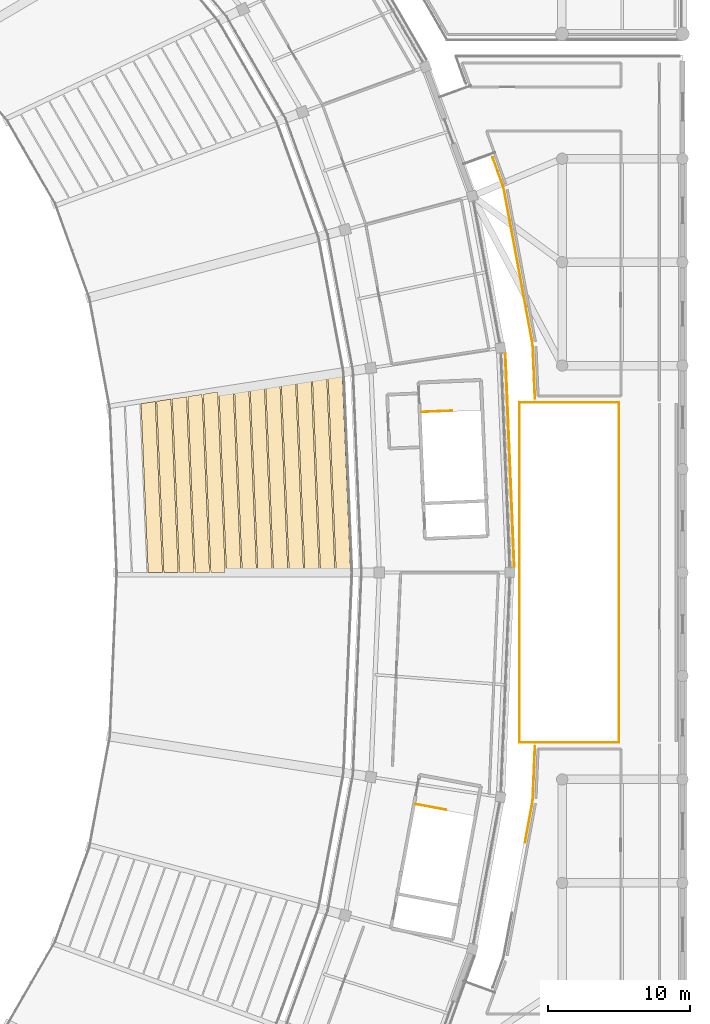
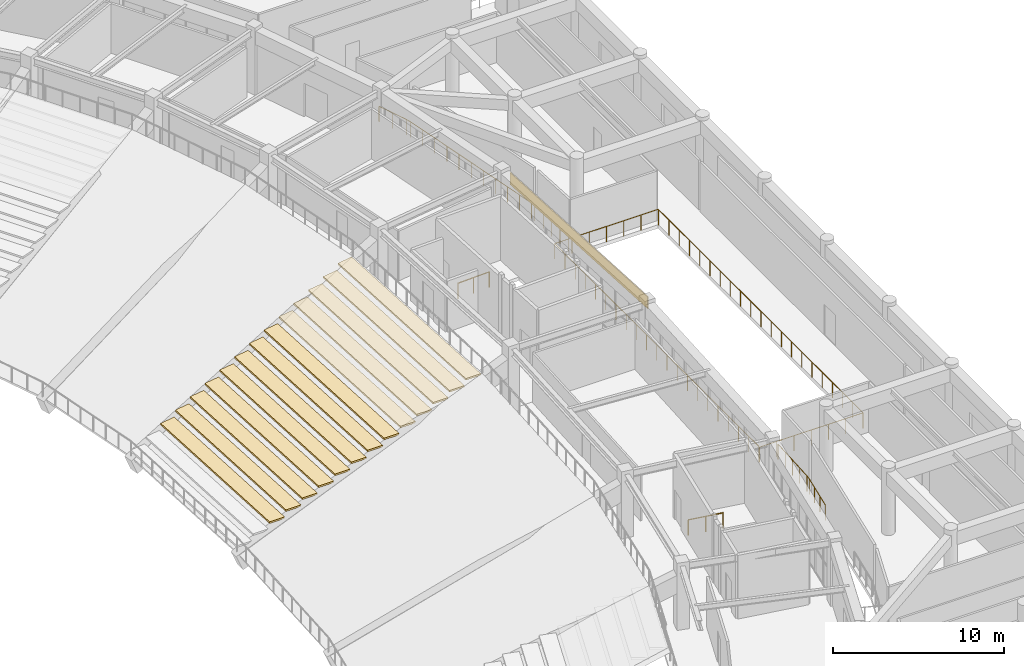
# One storey, part 128 of 137: 14 coverings, 6 railings.
"""IFC4 building model written with IfcOpenShell, lengths in metres."""

from ifc_helpers import new_model, si_unit, direction, frame, origin, origin_2d, place, context, subcontext, project, spatial, polyline, rectangle, circle, outline, extrude, material, layer, layer_set, type_object, element, save


model = new_model("IFC4")

# Units and contexts
model_context = context("Model", 3, precision=1e-05, world=origin(), true_north=direction((0.0, 1.0)))
body_context = subcontext(model_context, "Body", "Model", "MODEL_VIEW")
ifc_project = project(units=[si_unit("LENGTHUNIT", "METRE"), si_unit("AREAUNIT", "SQUARE_METRE"), si_unit("VOLUMEUNIT", "CUBIC_METRE"), si_unit("PLANEANGLEUNIT", "RADIAN"), si_unit("MASSUNIT", "GRAM", prefix="KILO")], contexts=[model_context])

# Site, building, storey
site_placement = place(None, origin())
site = spatial("IfcSite", under=ifc_project, at=site_placement, CompositionType="ELEMENT")
building_placement = place(site_placement, origin())
building = spatial("IfcBuilding", under=site, at=building_placement, Name="Mphavela Belvedere Stadium", CompositionType="ELEMENT")
storey_placement = place(building_placement, frame((0.0, 0.0, 19.199951171875)))
storey = spatial("IfcBuildingStorey", under=building, at=storey_placement, Name="L04", CompositionType="ELEMENT", Elevation=19.199951171875)

# Coverings
ifc_material_1 = material(Name="Carved classical limestone entablature frieze cladding", Category="masonry")
ifc_layer_1 = layer(ifc_material_1, 0.06005859375)
ifc_layer_set_1 = layer_set([ifc_layer_1], Name="Carved classical limestone entablature frieze cladding")
covering_type_1 = type_object("IfcCoveringType", Name="COV-FRIEZE-CLAD", PredefinedType="CLADDING", material=ifc_layer_set_1)
covering_1_placement = place(storey_placement, frame((217.807373046875, 94.935791015625, 3.594970703125), z_axis=(0.0, 0.0, 1.0), x_axis=(-0.041875653729, 0.999122830099, 0.0)))
element("IfcCovering", 1, at=covering_1_placement, inside=storey, type_object=covering_type_1, Name="Classical entablature frieze cladding L04-01", PredefinedType="CLADDING", context=body_context, shape_type="SweptSolid", body=[
    extrude(rectangle(XDim=15.06298828125, YDim=0.06005859375, at=origin_2d()), origin(), (0.0, 0.0, 1.0), 0.85009765625),
])
ifc_material_2 = material(Name="Precast seating row terrazzo finish", Category="concrete")
ifc_layer_2 = layer(ifc_material_2, 0.1201171875)
ifc_layer_set_2 = layer_set([ifc_layer_2], Name="Precast seating row terrazzo finish")
covering_type_2 = type_object("IfcCoveringType", Name="COV-SEAT-ROW-U", PredefinedType="FLOORING", material=ifc_layer_set_2)
covering_2_placement = place(storey_placement, frame((0.0, 0.0, -2.469970703125)))
element("IfcCovering", 2, at=covering_2_placement, inside=storey, type_object=covering_type_2, Name="Upper stand seating row bench B01-R03", PredefinedType="FLOORING", context=body_context, shape_type="SweptSolid", body=[
    extrude(outline(polyline([(192.28955078125, 87.0), (191.7900390625, 98.91064453125), (192.80078125, 99.0673828125), (193.306884765625, 87.0), (192.28955078125, 87.0)])), origin(), (0.0, 0.0, 1.0), 0.1201171875),
])
covering_3_placement = place(storey_placement, frame((0.0, 0.0, -2.003173828125)))
element("IfcCovering", 3, at=covering_3_placement, inside=storey, type_object=covering_type_2, Name="Upper stand seating row bench B01-R04", PredefinedType="FLOORING", context=body_context, shape_type="SweptSolid", body=[
    extrude(outline(polyline([(193.3955078125, 87.0), (192.888671875, 99.0810546875), (193.8994140625, 99.23779296875), (194.41259765625, 87.0), (193.3955078125, 87.0)])), origin(), (0.0, 0.0, 1.0), 0.119873046875),
])
covering_4_placement = place(storey_placement, frame((0.0, 0.0, -1.53662109375)))
element("IfcCovering", 4, at=covering_4_placement, inside=storey, type_object=covering_type_2, Name="Upper stand seating row bench B01-R05", PredefinedType="FLOORING", context=body_context, shape_type="SweptSolid", body=[
    extrude(outline(polyline([(194.501220703125, 87.0), (193.9873046875, 99.25146484375), (194.998046875, 99.408203125), (195.5185546875, 87.0), (194.501220703125, 87.0)])), origin(), (0.0, 0.0, 1.0), 0.119873046875),
])
covering_5_placement = place(storey_placement, frame((0.0, 0.0, -1.070068359375)))
element("IfcCovering", 5, at=covering_5_placement, inside=storey, type_object=covering_type_2, Name="Upper stand seating row bench B01-R06", PredefinedType="FLOORING", context=body_context, shape_type="SweptSolid", body=[
    extrude(outline(polyline([(195.60693359375, 87.0), (195.0859375, 99.421875), (196.0966796875, 99.57861328125), (196.624267578125, 87.0), (195.60693359375, 87.0)])), origin(), (0.0, 0.0, 1.0), 0.1201171875),
])
covering_6_placement = place(storey_placement, frame((0.0, 0.0, -0.603271484375)))
element("IfcCovering", 6, at=covering_6_placement, inside=storey, type_object=covering_type_2, Name="Upper stand seating row bench B01-R07", PredefinedType="FLOORING", context=body_context, shape_type="SweptSolid", body=[
    extrude(outline(polyline([(196.712890625, 87.0), (196.1845703125, 99.59228515625), (197.1953125, 99.7490234375), (197.72998046875, 87.0), (196.712890625, 87.0)])), origin(), (0.0, 0.0, 1.0), 0.1201171875),
])
covering_7_placement = place(storey_placement, frame((0.0, 0.0, -0.13671875)))
element("IfcCovering", 7, at=covering_7_placement, inside=storey, type_object=covering_type_2, Name="Upper stand seating row bench B01-R08", PredefinedType="FLOORING", context=body_context, shape_type="SweptSolid", body=[
    extrude(outline(polyline([(197.818603515625, 87.0), (197.283203125, 99.7626953125), (198.294189453125, 99.91943359375), (198.8359375, 87.0), (197.818603515625, 87.0)])), origin(), (0.0, 0.0, 1.0), 0.1201171875),
])
covering_8_placement = place(storey_placement, frame((0.0, 0.0, 0.330078125)))
element("IfcCovering", 8, at=covering_8_placement, inside=storey, type_object=covering_type_2, Name="Upper stand seating row bench B01-R09", PredefinedType="FLOORING", context=body_context, shape_type="SweptSolid", body=[
    extrude(outline(polyline([(198.92431640625, 87.0), (198.382080078125, 99.93310546875), (199.392578125, 100.08984375), (199.941650390625, 87.0), (198.92431640625, 87.0)])), origin(), (0.0, 0.0, 1.0), 0.119873046875),
])
covering_9_placement = place(storey_placement, frame((0.0, 0.0, 0.796630859375)))
element("IfcCovering", 9, at=covering_9_placement, inside=storey, type_object=covering_type_2, Name="Upper stand seating row bench B01-R10", PredefinedType="FLOORING", context=body_context, shape_type="SweptSolid", body=[
    extrude(outline(polyline([(200.0302734375, 87.0), (199.480712890625, 100.103515625), (200.491455078125, 100.26025390625), (201.047607421875, 87.0), (200.0302734375, 87.0)])), origin(), (0.0, 0.0, 1.0), 0.1201171875),
])
covering_10_placement = place(storey_placement, frame((0.0, 0.0, 1.263427734375)))
element("IfcCovering", 10, at=covering_10_placement, inside=storey, type_object=covering_type_2, Name="Upper stand seating row bench B01-R11", PredefinedType="FLOORING", context=body_context, shape_type="SweptSolid", body=[
    extrude(outline(polyline([(201.135986328125, 87.0), (200.579345703125, 100.27392578125), (201.590087890625, 100.4306640625), (202.1533203125, 87.0), (201.135986328125, 87.0)])), origin(), (0.0, 0.0, 1.0), 0.119873046875),
])
covering_11_placement = place(storey_placement, frame((0.0, 0.0, 1.72998046875)))
element("IfcCovering", 11, at=covering_11_placement, inside=storey, type_object=covering_type_2, Name="Upper stand seating row bench B01-R12", PredefinedType="FLOORING", context=body_context, shape_type="SweptSolid", body=[
    extrude(outline(polyline([(202.24169921875, 87.0), (201.677978515625, 100.4443359375), (202.688720703125, 100.60107421875), (203.259033203125, 87.0), (202.24169921875, 87.0)])), origin(), (0.0, 0.0, 1.0), 0.1201171875),
])
covering_12_placement = place(storey_placement, frame((0.0, 0.0, 2.19677734375)))
element("IfcCovering", 12, at=covering_12_placement, inside=storey, type_object=covering_type_2, Name="Upper stand seating row bench B01-R13", PredefinedType="FLOORING", context=body_context, shape_type="SweptSolid", body=[
    extrude(outline(polyline([(203.34765625, 87.0), (202.776611328125, 100.61474609375), (203.787353515625, 100.771484375), (204.364990234375, 87.0), (203.34765625, 87.0)])), origin(), (0.0, 0.0, 1.0), 0.119873046875),
])
covering_13_placement = place(storey_placement, frame((0.0, 0.0, 2.663330078125)))
element("IfcCovering", 13, at=covering_13_placement, inside=storey, type_object=covering_type_2, Name="Upper stand seating row bench B01-R14", PredefinedType="FLOORING", context=body_context, shape_type="SweptSolid", body=[
    extrude(outline(polyline([(204.453369140625, 87.0), (203.875244140625, 100.78515625), (204.885986328125, 100.94189453125), (205.470703125, 87.0), (204.453369140625, 87.0)])), origin(), (0.0, 0.0, 1.0), 0.1201171875),
])
covering_14_placement = place(storey_placement, frame((0.0, 0.0, 3.130126953125)))
element("IfcCovering", 14, at=covering_14_placement, inside=storey, type_object=covering_type_2, Name="Upper stand seating row bench B01-R15", PredefinedType="FLOORING", context=body_context, shape_type="SweptSolid", body=[
    extrude(outline(polyline([(205.55908203125, 87.0), (204.973876953125, 100.95556640625), (205.984619140625, 101.1123046875), (206.576416015625, 87.0), (205.55908203125, 87.0)])), origin(), (0.0, 0.0, 1.0), 0.119873046875),
])

# Railings
ifc_material_3 = material(Name="Bronze and laminated glass stadium balustrade", Category="glass")
railing_type_1 = type_object("IfcRailingType", Name="RAL-BALUSTRADE-1120", PredefinedType="BALUSTRADE", material=ifc_material_3)
railing_1_placement = place(storey_placement, frame((218.5, 75.0, 0.0)))
element("IfcRailing", 15, at=railing_1_placement, inside=storey, type_object=railing_type_1, Name="East Planted Eaves Peristyle Colonnade court balustrade L04-A", PredefinedType="BALUSTRADE", context=body_context, shape_type="SweptSolid", body=[
    extrude(circle(Radius=0.02392578125, at=origin_2d()), frame((0.0, 0.0, 1.09619140625), z_axis=(1.0, 0.0, 0.0), x_axis=(0.0, 1.0, 0.0)), (0.0, 0.0, 1.0), 7.0),
    extrude(circle(Radius=0.02392578125, at=origin_2d()), frame((7.0, 0.0, 1.09619140625), z_axis=(0.0, 1.0, 0.0), x_axis=(-1.0, 0.0, 0.0)), (0.0, 0.0, 1.0), 23.919921875),
    extrude(circle(Radius=0.02099609375, at=origin_2d()), origin(), (0.0, 0.0, 1.0), 1.072021484375),
    extrude(circle(Radius=0.02099609375, at=origin_2d()), frame((1.166748046875, 0.0, 0.0)), (0.0, 0.0, 1.0), 1.072021484375),
    extrude(circle(Radius=0.02099609375, at=origin_2d()), frame((2.333251953125, 0.0, 0.0)), (0.0, 0.0, 1.0), 1.072021484375),
    extrude(circle(Radius=0.02099609375, at=origin_2d()), frame((3.5, 0.0, 0.0)), (0.0, 0.0, 1.0), 1.072021484375),
    extrude(circle(Radius=0.02099609375, at=origin_2d()), frame((4.666748046875, 0.0, 0.0)), (0.0, 0.0, 1.0), 1.072021484375),
    extrude(circle(Radius=0.02099609375, at=origin_2d()), frame((5.833251953125, 0.0, 0.0)), (0.0, 0.0, 1.0), 1.072021484375),
    extrude(circle(Radius=0.02099609375, at=origin_2d()), frame((7.0, 0.0, 0.0)), (0.0, 0.0, 1.0), 1.072021484375),
    extrude(circle(Radius=0.02099609375, at=origin_2d()), frame((7.0, 1.196044921875, 0.0)), (0.0, 0.0, 1.0), 1.072021484375),
    extrude(circle(Radius=0.02099609375, at=origin_2d()), frame((7.0, 2.39208984375, 0.0)), (0.0, 0.0, 1.0), 1.072021484375),
    extrude(circle(Radius=0.02099609375, at=origin_2d()), frame((7.0, 3.587890625, 0.0)), (0.0, 0.0, 1.0), 1.072021484375),
    extrude(circle(Radius=0.02099609375, at=origin_2d()), frame((7.0, 4.783935546875, 0.0)), (0.0, 0.0, 1.0), 1.072021484375),
    extrude(circle(Radius=0.02099609375, at=origin_2d()), frame((7.0, 5.97998046875, 0.0)), (0.0, 0.0, 1.0), 1.072021484375),
    extrude(circle(Radius=0.02099609375, at=origin_2d()), frame((7.0, 7.176025390625, 0.0)), (0.0, 0.0, 1.0), 1.072021484375),
    extrude(circle(Radius=0.02099609375, at=origin_2d()), frame((7.0, 8.3720703125, 0.0)), (0.0, 0.0, 1.0), 1.072021484375),
    extrude(circle(Radius=0.02099609375, at=origin_2d()), frame((7.0, 9.56787109375, 0.0)), (0.0, 0.0, 1.0), 1.072021484375),
    extrude(circle(Radius=0.02099609375, at=origin_2d()), frame((7.0, 10.763916015625, 0.0)), (0.0, 0.0, 1.0), 1.072021484375),
    extrude(circle(Radius=0.02099609375, at=origin_2d()), frame((7.0, 11.9599609375, 0.0)), (0.0, 0.0, 1.0), 1.072021484375),
    extrude(circle(Radius=0.02099609375, at=origin_2d()), frame((7.0, 13.156005859375, 0.0)), (0.0, 0.0, 1.0), 1.072021484375),
    extrude(circle(Radius=0.02099609375, at=origin_2d()), frame((7.0, 14.35205078125, 0.0)), (0.0, 0.0, 1.0), 1.072021484375),
    extrude(circle(Radius=0.02099609375, at=origin_2d()), frame((7.0, 15.5478515625, 0.0)), (0.0, 0.0, 1.0), 1.072021484375),
    extrude(circle(Radius=0.02099609375, at=origin_2d()), frame((7.0, 16.743896484375, 0.0)), (0.0, 0.0, 1.0), 1.072021484375),
    extrude(circle(Radius=0.02099609375, at=origin_2d()), frame((7.0, 17.93994140625, 0.0)), (0.0, 0.0, 1.0), 1.072021484375),
    extrude(circle(Radius=0.02099609375, at=origin_2d()), frame((7.0, 19.135986328125, 0.0)), (0.0, 0.0, 1.0), 1.072021484375),
    extrude(circle(Radius=0.02099609375, at=origin_2d()), frame((7.0, 20.33203125, 0.0)), (0.0, 0.0, 1.0), 1.072021484375),
    extrude(circle(Radius=0.02099609375, at=origin_2d()), frame((7.0, 21.52783203125, 0.0)), (0.0, 0.0, 1.0), 1.072021484375),
    extrude(circle(Radius=0.02099609375, at=origin_2d()), frame((7.0, 22.723876953125, 0.0)), (0.0, 0.0, 1.0), 1.072021484375),
    extrude(circle(Radius=0.02099609375, at=origin_2d()), frame((7.0, 23.919921875, 0.0)), (0.0, 0.0, 1.0), 1.072021484375),
])
railing_2_placement = place(storey_placement, frame((225.5, 99.0, 0.0)))
element("IfcRailing", 16, at=railing_2_placement, inside=storey, type_object=railing_type_1, Name="East Planted Eaves Peristyle Colonnade court balustrade L04-B", PredefinedType="BALUSTRADE", context=body_context, shape_type="SweptSolid", body=[
    extrude(circle(Radius=0.02392578125, at=origin_2d()), frame((0.0, 0.0, 1.09619140625), z_axis=(-1.0, 0.0, 0.0), x_axis=(0.0, -1.0, 0.0)), (0.0, 0.0, 1.0), 7.0),
    extrude(circle(Radius=0.02392578125, at=origin_2d()), frame((-7.0, 0.0, 1.09619140625), z_axis=(0.0, -1.0, 0.0), x_axis=(1.0, 0.0, 0.0)), (0.0, 0.0, 1.0), 23.919921875),
    extrude(circle(Radius=0.02099609375, at=origin_2d()), origin(), (0.0, 0.0, 1.0), 1.072021484375),
    extrude(circle(Radius=0.02099609375, at=origin_2d()), frame((-1.166748046875, 0.0, 0.0)), (0.0, 0.0, 1.0), 1.072021484375),
    extrude(circle(Radius=0.02099609375, at=origin_2d()), frame((-2.333251953125, 0.0, 0.0)), (0.0, 0.0, 1.0), 1.072021484375),
    extrude(circle(Radius=0.02099609375, at=origin_2d()), frame((-3.5, 0.0, 0.0)), (0.0, 0.0, 1.0), 1.072021484375),
    extrude(circle(Radius=0.02099609375, at=origin_2d()), frame((-4.666748046875, 0.0, 0.0)), (0.0, 0.0, 1.0), 1.072021484375),
    extrude(circle(Radius=0.02099609375, at=origin_2d()), frame((-5.833251953125, 0.0, 0.0)), (0.0, 0.0, 1.0), 1.072021484375),
    extrude(circle(Radius=0.02099609375, at=origin_2d()), frame((-7.0, 0.0, 0.0)), (0.0, 0.0, 1.0), 1.072021484375),
    extrude(circle(Radius=0.02099609375, at=origin_2d()), frame((-7.0, -1.196044921875, 0.0)), (0.0, 0.0, 1.0), 1.072021484375),
    extrude(circle(Radius=0.02099609375, at=origin_2d()), frame((-7.0, -2.39208984375, 0.0)), (0.0, 0.0, 1.0), 1.072021484375),
    extrude(circle(Radius=0.02099609375, at=origin_2d()), frame((-7.0, -3.587890625, 0.0)), (0.0, 0.0, 1.0), 1.072021484375),
    extrude(circle(Radius=0.02099609375, at=origin_2d()), frame((-7.0, -4.783935546875, 0.0)), (0.0, 0.0, 1.0), 1.072021484375),
    extrude(circle(Radius=0.02099609375, at=origin_2d()), frame((-7.0, -5.97998046875, 0.0)), (0.0, 0.0, 1.0), 1.072021484375),
    extrude(circle(Radius=0.02099609375, at=origin_2d()), frame((-7.0, -7.176025390625, 0.0)), (0.0, 0.0, 1.0), 1.072021484375),
    extrude(circle(Radius=0.02099609375, at=origin_2d()), frame((-7.0, -8.3720703125, 0.0)), (0.0, 0.0, 1.0), 1.072021484375),
    extrude(circle(Radius=0.02099609375, at=origin_2d()), frame((-7.0, -9.56787109375, 0.0)), (0.0, 0.0, 1.0), 1.072021484375),
    extrude(circle(Radius=0.02099609375, at=origin_2d()), frame((-7.0, -10.763916015625, 0.0)), (0.0, 0.0, 1.0), 1.072021484375),
    extrude(circle(Radius=0.02099609375, at=origin_2d()), frame((-7.0, -11.9599609375, 0.0)), (0.0, 0.0, 1.0), 1.072021484375),
    extrude(circle(Radius=0.02099609375, at=origin_2d()), frame((-7.0, -13.156005859375, 0.0)), (0.0, 0.0, 1.0), 1.072021484375),
    extrude(circle(Radius=0.02099609375, at=origin_2d()), frame((-7.0, -14.35205078125, 0.0)), (0.0, 0.0, 1.0), 1.072021484375),
    extrude(circle(Radius=0.02099609375, at=origin_2d()), frame((-7.0, -15.5478515625, 0.0)), (0.0, 0.0, 1.0), 1.072021484375),
    extrude(circle(Radius=0.02099609375, at=origin_2d()), frame((-7.0, -16.743896484375, 0.0)), (0.0, 0.0, 1.0), 1.072021484375),
    extrude(circle(Radius=0.02099609375, at=origin_2d()), frame((-7.0, -17.93994140625, 0.0)), (0.0, 0.0, 1.0), 1.072021484375),
    extrude(circle(Radius=0.02099609375, at=origin_2d()), frame((-7.0, -19.135986328125, 0.0)), (0.0, 0.0, 1.0), 1.072021484375),
    extrude(circle(Radius=0.02099609375, at=origin_2d()), frame((-7.0, -20.33203125, 0.0)), (0.0, 0.0, 1.0), 1.072021484375),
    extrude(circle(Radius=0.02099609375, at=origin_2d()), frame((-7.0, -21.52783203125, 0.0)), (0.0, 0.0, 1.0), 1.072021484375),
    extrude(circle(Radius=0.02099609375, at=origin_2d()), frame((-7.0, -22.723876953125, 0.0)), (0.0, 0.0, 1.0), 1.072021484375),
    extrude(circle(Radius=0.02099609375, at=origin_2d()), frame((-7.0, -23.919921875, 0.0)), (0.0, 0.0, 1.0), 1.072021484375),
])
railing_3_placement = place(storey_placement, frame((218.87841796875, 67.946533203125, 0.0)))
element("IfcRailing", 17, at=railing_3_placement, inside=storey, type_object=railing_type_1, Name="Peristyle wing gallery edge balustrade L04-61", PredefinedType="BALUSTRADE", context=body_context, shape_type="SweptSolid", body=[
    extrude(circle(Radius=0.02392578125, at=origin_2d()), frame((0.0, 0.0, 1.09619140625), z_axis=(0.182689544832, 0.983170651621, 0.0), x_axis=(-0.983170651621, 0.182689544832, 0.0)), (0.0, 0.0, 1.0), 2.83984375),
    extrude(circle(Radius=0.02392578125, at=origin_2d()), frame((0.518798828125, 2.7919921875, 1.09619140625), z_axis=(0.113134174083, 0.993579719325, 0.0), x_axis=(-0.993579719325, 0.113134174083, 0.0)), (0.0, 0.0, 1.0), 0.317138671875),
    extrude(circle(Radius=0.02392578125, at=origin_2d()), frame((0.5546875, 3.107177734375, 1.09619140625), z_axis=(0.041915584211, 0.999121155716, 0.0), x_axis=(-0.999121155716, 0.041915584211, 0.0)), (0.0, 0.0, 1.0), 3.66943359375),
    extrude(circle(Radius=0.02099609375, at=origin_2d()), origin(), (0.0, 0.0, 1.0), 1.072021484375),
    extrude(circle(Radius=0.02099609375, at=origin_2d()), frame((0.1728515625, 0.9306640625, 0.0)), (0.0, 0.0, 1.0), 1.072021484375),
    extrude(circle(Radius=0.02099609375, at=origin_2d()), frame((0.345947265625, 1.861328125, 0.0)), (0.0, 0.0, 1.0), 1.072021484375),
    extrude(circle(Radius=0.02099609375, at=origin_2d()), frame((0.518798828125, 2.7919921875, 0.0)), (0.0, 0.0, 1.0), 1.072021484375),
    extrude(circle(Radius=0.02099609375, at=origin_2d()), frame((0.5546875, 3.107177734375, 0.0)), (0.0, 0.0, 1.0), 1.072021484375),
    extrude(circle(Radius=0.02099609375, at=origin_2d()), frame((0.59326171875, 4.023681640625, 0.0)), (0.0, 0.0, 1.0), 1.072021484375),
    extrude(circle(Radius=0.02099609375, at=origin_2d()), frame((0.631591796875, 4.9404296875, 0.0)), (0.0, 0.0, 1.0), 1.072021484375),
    extrude(circle(Radius=0.02099609375, at=origin_2d()), frame((0.669921875, 5.85693359375, 0.0)), (0.0, 0.0, 1.0), 1.072021484375),
    extrude(circle(Radius=0.02099609375, at=origin_2d()), frame((0.70849609375, 6.7734375, 0.0)), (0.0, 0.0, 1.0), 1.072021484375),
])
railing_4_placement = place(storey_placement, frame((219.5869140625, 99.280029296875, 0.0)))
element("IfcRailing", 18, at=railing_4_placement, inside=storey, type_object=railing_type_1, Name="Peristyle wing gallery edge balustrade L04-62", PredefinedType="BALUSTRADE", context=body_context, shape_type="SweptSolid", body=[
    extrude(circle(Radius=0.02392578125, at=origin_2d()), frame((0.0, 0.0, 1.09619140625), z_axis=(-0.041913249869, 0.999121253645, 0.0), x_axis=(-0.999121253645, -0.041913249869, 0.0)), (0.0, 0.0, 1.0), 3.663818359375),
    extrude(circle(Radius=0.02392578125, at=origin_2d()), frame((-0.153564453125, 3.66064453125, 1.09619140625), z_axis=(-0.111925462349, 0.993716604912, 0.0), x_axis=(-0.993716604912, -0.111925462349, 0.0)), (0.0, 0.0, 1.0), 0.32275390625),
    extrude(circle(Radius=0.02392578125, at=origin_2d()), frame((-0.189697265625, 3.9814453125, 1.09619140625), z_axis=(-0.182655268054, 0.983177020201, 0.0), x_axis=(-0.983177020201, -0.182655268054, 0.0)), (0.0, 0.0, 1.0), 10.904052734375),
    extrude(circle(Radius=0.02392578125, at=origin_2d()), frame((-2.181396484375, 14.7021484375, 1.09619140625), z_axis=(-0.263228770057, 0.96473344226, 0.0), x_axis=(-0.96473344226, -0.263228770057, 0.0)), (0.0, 0.0, 1.0), 0.37109375),
    extrude(circle(Radius=0.02392578125, at=origin_2d()), frame((-2.279052734375, 15.06005859375, 1.09619140625), z_axis=(-0.3409855965, 0.940068520364, 0.0), x_axis=(-0.940068520364, -0.3409855965, 0.0)), (0.0, 0.0, 1.0), 2.070556640625),
    extrude(circle(Radius=0.02099609375, at=origin_2d()), origin(), (0.0, 0.0, 1.0), 1.072021484375),
    extrude(circle(Radius=0.02099609375, at=origin_2d()), frame((-0.038330078125, 0.9150390625, 0.0)), (0.0, 0.0, 1.0), 1.072021484375),
    extrude(circle(Radius=0.02099609375, at=origin_2d()), frame((-0.07666015625, 1.830322265625, 0.0)), (0.0, 0.0, 1.0), 1.072021484375),
    extrude(circle(Radius=0.02099609375, at=origin_2d()), frame((-0.115234375, 2.74560546875, 0.0)), (0.0, 0.0, 1.0), 1.072021484375),
    extrude(circle(Radius=0.02099609375, at=origin_2d()), frame((-0.153564453125, 3.66064453125, 0.0)), (0.0, 0.0, 1.0), 1.072021484375),
    extrude(circle(Radius=0.02099609375, at=origin_2d()), frame((-0.189697265625, 3.9814453125, 0.0)), (0.0, 0.0, 1.0), 1.072021484375),
    extrude(circle(Radius=0.02099609375, at=origin_2d()), frame((-0.388916015625, 5.053466796875, 0.0)), (0.0, 0.0, 1.0), 1.072021484375),
    extrude(circle(Radius=0.02099609375, at=origin_2d()), frame((-0.588134765625, 6.12548828125, 0.0)), (0.0, 0.0, 1.0), 1.072021484375),
    extrude(circle(Radius=0.02099609375, at=origin_2d()), frame((-0.787109375, 7.19775390625, 0.0)), (0.0, 0.0, 1.0), 1.072021484375),
    extrude(circle(Radius=0.02099609375, at=origin_2d()), frame((-0.986328125, 8.269775390625, 0.0)), (0.0, 0.0, 1.0), 1.072021484375),
    extrude(circle(Radius=0.02099609375, at=origin_2d()), frame((-1.185546875, 9.341796875, 0.0)), (0.0, 0.0, 1.0), 1.072021484375),
    extrude(circle(Radius=0.02099609375, at=origin_2d()), frame((-1.384765625, 10.413818359375, 0.0)), (0.0, 0.0, 1.0), 1.072021484375),
    extrude(circle(Radius=0.02099609375, at=origin_2d()), frame((-1.583984375, 11.48583984375, 0.0)), (0.0, 0.0, 1.0), 1.072021484375),
    extrude(circle(Radius=0.02099609375, at=origin_2d()), frame((-1.782958984375, 12.55810546875, 0.0)), (0.0, 0.0, 1.0), 1.072021484375),
    extrude(circle(Radius=0.02099609375, at=origin_2d()), frame((-1.982177734375, 13.630126953125, 0.0)), (0.0, 0.0, 1.0), 1.072021484375),
    extrude(circle(Radius=0.02099609375, at=origin_2d()), frame((-2.181396484375, 14.7021484375, 0.0)), (0.0, 0.0, 1.0), 1.072021484375),
    extrude(circle(Radius=0.02099609375, at=origin_2d()), frame((-2.279052734375, 15.06005859375, 0.0)), (0.0, 0.0, 1.0), 1.072021484375),
    extrude(circle(Radius=0.02099609375, at=origin_2d()), frame((-2.632080078125, 16.033203125, 0.0)), (0.0, 0.0, 1.0), 1.072021484375),
    extrude(circle(Radius=0.02099609375, at=origin_2d()), frame((-2.985107421875, 17.006591796875, 0.0)), (0.0, 0.0, 1.0), 1.072021484375),
])
ifc_material_4 = material(Name="Painted galvanised steel stair guardrail", Category="steel")
railing_type_2 = type_object("IfcRailingType", Name="RAL-GUARD-1120", PredefinedType="GUARDRAIL", material=ifc_material_4)
railing_5_placement = place(storey_placement, frame((211.5625, 98.326904296875, 0.0)))
element("IfcRailing", 19, at=railing_5_placement, inside=storey, type_object=railing_type_2, Name="L04 ST-C01 top well guard 1", PredefinedType="GUARDRAIL", context=body_context, shape_type="SweptSolid", body=[
    extrude(circle(Radius=0.02392578125, at=origin_2d()), frame((0.0, 0.0, 1.09619140625), z_axis=(0.999123885003, 0.041850476886, 0.0), x_axis=(-0.041850476886, 0.999123885003, 0.0)), (0.0, 0.0, 1.0), 2.170166015625),
    extrude(circle(Radius=0.02099609375, at=origin_2d()), origin(), (0.0, 0.0, 1.0), 1.072021484375),
    extrude(circle(Radius=0.02099609375, at=origin_2d()), frame((1.083984375, 0.04541015625, 0.0)), (0.0, 0.0, 1.0), 1.072021484375),
    extrude(circle(Radius=0.02099609375, at=origin_2d()), frame((2.168212890625, 0.0908203125, 0.0)), (0.0, 0.0, 1.0), 1.072021484375),
])
railing_6_placement = place(storey_placement, frame((211.164306640625, 70.655029296875, 0.0)))
element("IfcRailing", 20, at=railing_6_placement, inside=storey, type_object=railing_type_2, Name="L04 ST-C12 top well guard 1", PredefinedType="GUARDRAIL", context=body_context, shape_type="SweptSolid", body=[
    extrude(circle(Radius=0.02392578125, at=origin_2d()), frame((0.0, 0.0, 1.09619140625), z_axis=(0.983187870466, -0.182596854762, 0.0), x_axis=(0.182596854762, 0.983187870466, 0.0)), (0.0, 0.0, 1.0), 2.169921875),
    extrude(circle(Radius=0.02099609375, at=origin_2d()), origin(), (0.0, 0.0, 1.0), 1.072021484375),
    extrude(circle(Radius=0.02099609375, at=origin_2d()), frame((1.06689453125, -0.1982421875, 0.0)), (0.0, 0.0, 1.0), 1.072021484375),
    extrude(circle(Radius=0.02099609375, at=origin_2d()), frame((2.133544921875, -0.396240234375, 0.0)), (0.0, 0.0, 1.0), 1.072021484375),
])

save(model, "model.ifc")
